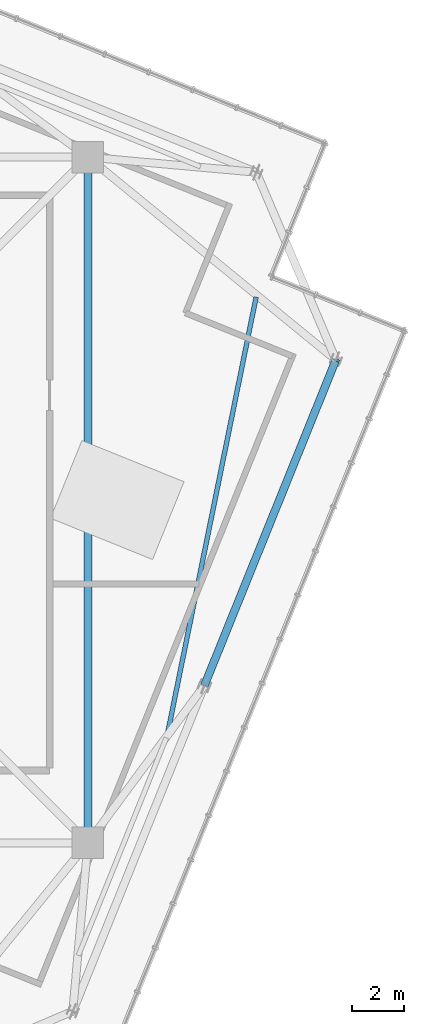
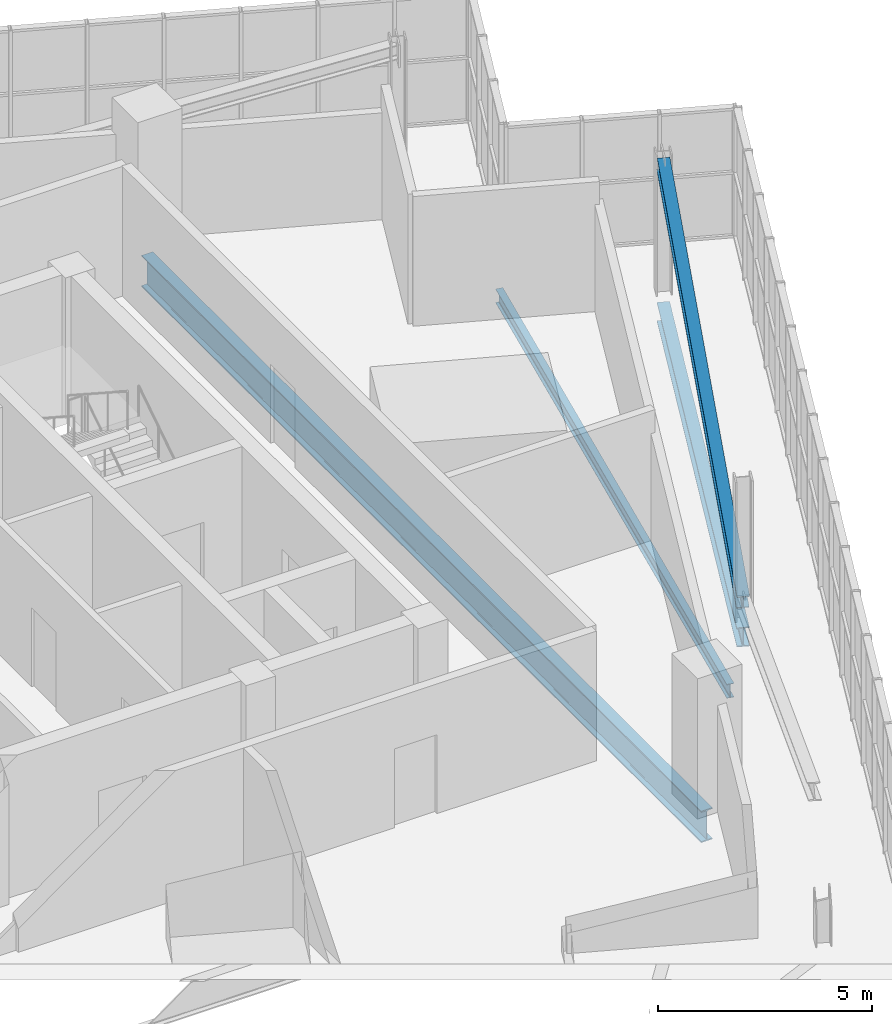
# One storey, part 10 of 26: 3 beams, 1 member.
"""IFC4 building model written with IfcOpenShell, lengths in metres."""

from ifc_helpers import new_model, si_unit, direction, frame, origin, origin_2d, place, context, subcontext, project, spatial, i_section, extrude, source, transform, mapped, material, material_profile, profile_set, type_object, element, save


model = new_model("IFC4")

# Units and contexts
model_context = context("Model", 3, precision=1e-05, world=origin(), true_north=direction((0.0, 1.0)))
body_context = subcontext(model_context, "Body", "Model", "MODEL_VIEW")
ifc_project = project(units=[si_unit("LENGTHUNIT", "METRE"), si_unit("AREAUNIT", "SQUARE_METRE"), si_unit("VOLUMEUNIT", "CUBIC_METRE"), si_unit("PLANEANGLEUNIT", "RADIAN"), si_unit("MASSUNIT", "GRAM", prefix="KILO"), si_unit("THERMODYNAMICTEMPERATUREUNIT", "KELVIN")], contexts=[model_context])

# Site, building, storey
site_placement = place(None, origin())
site = spatial("IfcSite", under=ifc_project, at=site_placement, CompositionType="ELEMENT")
building_placement = place(site_placement, origin())
building = spatial("IfcBuilding", under=site, at=building_placement, Name="Kosmvard Interchange Tower", CompositionType="ELEMENT")
storey_placement = place(building_placement, frame((0.0, 0.0, 333.60009765625)))
storey = spatial("IfcBuildingStorey", under=building, at=storey_placement, Name="L82", CompositionType="ELEMENT", Elevation=333.60009765625)

# Beam
ifc_material = material(Name="Steel S355", Category="steel")
ifc_material_profile_1 = material_profile(ifc_material, i_section(OverallWidth=0.300048828125, OverallDepth=0.89990234375, WebThickness=0.0185546875, FlangeThickness=0.034912109375, FilletRadius=0.030029296875, at=origin_2d()), Name="HEB 900")
ifc_profile_set_1 = profile_set([ifc_material_profile_1], Name="Steel S355")
beam_type_1 = type_object("IfcBeamType", Name="Mega-Column Ring Girder HEB 900 S355", PredefinedType="BEAM", material=ifc_profile_set_1)
shared_shape_1 = source(origin(), body_context, "Body", "SweptSolid", [
    extrude(i_section(OverallWidth=0.300048828125, OverallDepth=0.89990234375, WebThickness=0.0185546875, FlangeThickness=0.034912109375, FilletRadius=0.030029296875, at=origin_2d()), origin(), (0.0, 0.0, 1.0), 26.162109375),
])
beam_1_placement = place(storey_placement, frame((13.0810546875, -13.0810546875, -0.75), z_axis=(0.0, 1.0, 0.0), x_axis=(-1.0, 0.0, 0.0)))
element("IfcBeam", 1, at=beam_1_placement, inside=storey, type_object=beam_type_1, Name="L82 Mega-Column Ring Girder 2", PredefinedType="BEAM", context=body_context, shape_type="MappedRepresentation", body=[
    mapped(shared_shape_1, transform((0.0, 0.0, 0.0), scale=1.0)),
])

# Member
ifc_material_profile_2 = material_profile(ifc_material, i_section(OverallWidth=0.300048828125, OverallDepth=0.39990234375, WebThickness=0.013427734375, FlangeThickness=0.02392578125, FilletRadius=0.027099609375, at=origin_2d()), Name="HEB 400")
ifc_profile_set_2 = profile_set([ifc_material_profile_2], Name="Steel S355")
member_type = type_object("IfcMemberType", Name="Lantern Crown Diagrid Brace HEB 400 S355", PredefinedType="BRACE", material=ifc_profile_set_2)
shared_shape_2 = source(origin(), body_context, "Body", "SweptSolid", [
    extrude(i_section(OverallWidth=0.300048828125, OverallDepth=0.39990234375, WebThickness=0.013427734375, FlangeThickness=0.02392578125, FilletRadius=0.027099609375, at=origin_2d()), origin(), (0.0, 0.0, 1.0), 13.783935546875),
])
member_placement = place(storey_placement, frame((17.523681640625, -7.080078125, 0.419921875), z_axis=(0.364177999122, 0.901367558742, 0.234330768366), x_axis=(-0.927183187789, 0.374608243744, 0.0)))
element("IfcMember", 2, at=member_placement, inside=storey, type_object=member_type, Name="L82 Crown Lantern Diagrid Brace S2", PredefinedType="BRACE", context=body_context, shape_type="MappedRepresentation", body=[
    mapped(shared_shape_2, transform((0.0, 0.0, 0.0), scale=1.0)),
])

# Beams
ifc_material_profile_3 = material_profile(ifc_material, i_section(OverallWidth=0.300048828125, OverallDepth=0.550048828125, WebThickness=0.014892578125, FlangeThickness=0.029052734375, FilletRadius=0.027099609375, at=origin_2d()), Name="HEB 550")
ifc_profile_set_3 = profile_set([ifc_material_profile_3], Name="Steel S355")
beam_type_2 = type_object("IfcBeamType", Name="Crown Ring Cap Girder HEB 550 S355", PredefinedType="BEAM", material=ifc_profile_set_3)
shared_shape_3 = source(origin(), body_context, "Body", "SweptSolid", [
    extrude(i_section(OverallWidth=0.300048828125, OverallDepth=0.550048828125, WebThickness=0.014892578125, FlangeThickness=0.029052734375, FilletRadius=0.027099609375, at=origin_2d()), origin(), (0.0, 0.0, 1.0), 13.400146484375),
])
beam_2_placement = place(storey_placement, frame((17.523681640625, -7.080078125, -0.5751953125), z_axis=(0.374608243744, 0.927183187789, 0.0), x_axis=(-0.927183187789, 0.374608243744, 0.0)))
element("IfcBeam", 3, at=beam_2_placement, inside=storey, type_object=beam_type_2, Name="BM-L82-PR02", PredefinedType="BEAM", context=body_context, shape_type="MappedRepresentation", body=[
    mapped(shared_shape_3, transform((0.0, 0.0, 0.0), scale=1.0)),
])
ifc_material_profile_4 = material_profile(ifc_material, i_section(OverallWidth=0.179931640625, OverallDepth=0.39990234375, WebThickness=0.008544921875, FlangeThickness=0.013427734375, FilletRadius=0.02099609375, at=origin_2d()), Name="IPE 400")
ifc_profile_set_4 = profile_set([ifc_material_profile_4], Name="Steel S355")
beam_type_3 = type_object("IfcBeamType", Name="Upper-Zone Floor Joist IPE 400 S355", PredefinedType="JOIST", material=ifc_profile_set_4)
shared_shape_4 = source(origin(), body_context, "Body", "SweptSolid", [
    extrude(i_section(OverallWidth=0.179931640625, OverallDepth=0.39990234375, WebThickness=0.008544921875, FlangeThickness=0.013427734375, FilletRadius=0.02099609375, at=origin_2d()), origin(), (0.0, 0.0, 1.0), 17.0029296875),
])
beam_3_placement = place(storey_placement, frame((16.117919921875, -8.921875, -0.5), z_axis=(0.198882162837, 0.98002341059, 0.0), x_axis=(-0.98002341059, 0.198882162837, 0.0)))
element("IfcBeam", 4, at=beam_3_placement, inside=storey, type_object=beam_type_3, Name="BM-L82-FJ02", PredefinedType="JOIST", context=body_context, shape_type="MappedRepresentation", body=[
    mapped(shared_shape_4, transform((0.0, 0.0, 0.0), scale=1.0)),
])

save(model, "model.ifc")
